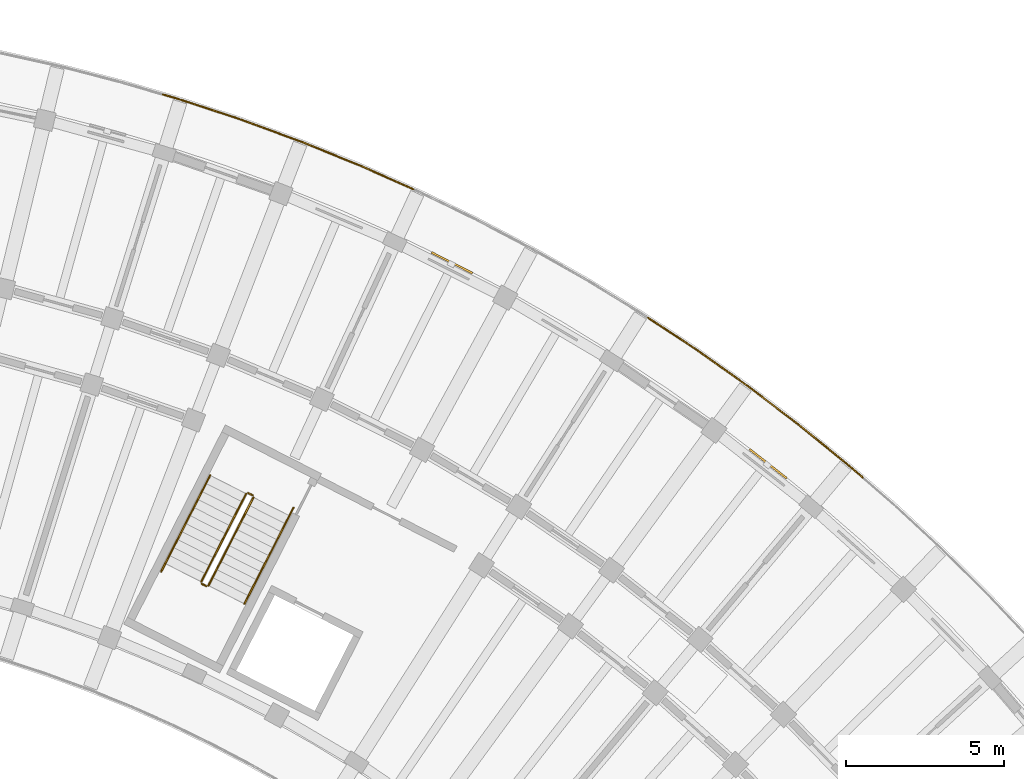
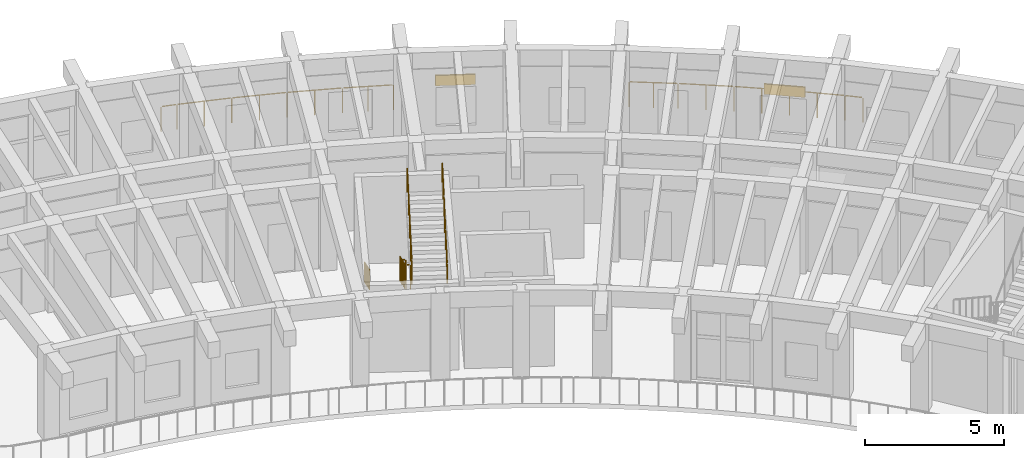
# One storey, part 127 of 128: 12 railings, 2 shading devices.
"""IFC4 building model written with IfcOpenShell, lengths in metres."""

from ifc_helpers import new_model, si_unit, direction, frame, origin, origin_2d, place, context, subcontext, project, spatial, rectangle, circle, extrude, material, layer, layer_set, type_object, element, save


model = new_model("IFC4")

# Units and contexts
model_context = context("Model", 3, precision=1e-05, world=origin(), true_north=direction((0.0, 1.0)))
body_context = subcontext(model_context, "Body", "Model", "MODEL_VIEW")
ifc_project = project(units=[si_unit("LENGTHUNIT", "METRE"), si_unit("AREAUNIT", "SQUARE_METRE"), si_unit("VOLUMEUNIT", "CUBIC_METRE"), si_unit("PLANEANGLEUNIT", "RADIAN"), si_unit("MASSUNIT", "GRAM", prefix="KILO")], contexts=[model_context])

# Site, building, storey
site_placement = place(None, origin())
site = spatial("IfcSite", under=ifc_project, at=site_placement, CompositionType="ELEMENT")
building_placement = place(site_placement, origin())
building = spatial("IfcBuilding", under=site, at=building_placement, Name="Tanwirah Colonnade Gardens", CompositionType="ELEMENT")
storey_placement = place(building_placement, frame((0.0, 0.0, 4.760009765625)))
storey = spatial("IfcBuildingStorey", under=building, at=storey_placement, Name="L01", CompositionType="ELEMENT", Elevation=4.760009765625)

# Railings
ifc_material_1 = material(Name="Precast concrete C40/50", Category="concrete")
railing_type_1 = type_object("IfcRailingType", Name="BAL-EXT112", PredefinedType="BALUSTRADE", material=ifc_material_1)
railing_1_placement = place(storey_placement, frame((138.708984375, 118.89990234375, 0.0)))
element("IfcRailing", 1, at=railing_1_placement, inside=storey, type_object=railing_type_1, Name="Block B L01 Balcony Ribbon Balustrade 12", PredefinedType="BALUSTRADE", context=body_context, shape_type="SweptSolid", body=[
    extrude(circle(Radius=0.02392578125, at=origin_2d()), frame((0.030029296875, -0.0087890625, 1.09619140625), z_axis=(0.959445381797, -0.281894589072, 0.0), x_axis=(0.281894589072, 0.959445381797, 0.0)), (0.0, 0.0, 1.0), 0.521240234375),
    extrude(circle(Radius=0.02392578125, at=origin_2d()), frame((0.58984375, -0.17431640625, 1.09619140625), z_axis=(0.949537316482, -0.313654084317, 0.0), x_axis=(0.313654084317, 0.949537316482, 0.0)), (0.0, 0.0, 1.0), 1.958984375),
    extrude(circle(Radius=0.02392578125, at=origin_2d()), frame((2.5087890625, -0.809326171875, 1.09619140625), z_axis=(0.938723993457, -0.344669789956, 0.0), x_axis=(0.344669789956, 0.938723993457, 0.0)), (0.0, 0.0, 1.0), 1.958984375),
    extrude(circle(Radius=0.02392578125, at=origin_2d()), frame((4.40625, -1.507080078125, 1.09619140625), z_axis=(0.926784720453, -0.375592973757, 0.0), x_axis=(0.375592973757, 0.926784720453, 0.0)), (0.0, 0.0, 1.0), 1.958984375),
    extrude(circle(Radius=0.02392578125, at=origin_2d()), frame((6.279296875, -2.267333984375, 1.09619140625), z_axis=(0.913952853369, -0.405820381227, 0.0), x_axis=(0.405820381227, 0.913952853369, 0.0)), (0.0, 0.0, 1.0), 1.789306640625),
    extrude(circle(Radius=0.02099609375, at=origin_2d()), origin(), (0.0, 0.0, 1.0), 1.069091796875),
    extrude(circle(Radius=0.02099609375, at=origin_2d()), frame((0.56005859375, -0.16455078125, 0.0)), (0.0, 0.0, 1.0), 1.069091796875),
    extrude(circle(Radius=0.02099609375, at=origin_2d()), frame((1.519775390625, -0.4814453125, 0.0)), (0.0, 0.0, 1.0), 1.069091796875),
    extrude(circle(Radius=0.02099609375, at=origin_2d()), frame((2.4794921875, -0.798583984375, 0.0)), (0.0, 0.0, 1.0), 1.069091796875),
    extrude(circle(Radius=0.02099609375, at=origin_2d()), frame((3.42822265625, -1.14697265625, 0.0)), (0.0, 0.0, 1.0), 1.069091796875),
    extrude(circle(Radius=0.02099609375, at=origin_2d()), frame((4.377197265625, -1.495361328125, 0.0)), (0.0, 0.0, 1.0), 1.069091796875),
    extrude(circle(Radius=0.02099609375, at=origin_2d()), frame((5.31396484375, -1.875, 0.0)), (0.0, 0.0, 1.0), 1.069091796875),
    extrude(circle(Radius=0.02099609375, at=origin_2d()), frame((6.250732421875, -2.254638671875, 0.0)), (0.0, 0.0, 1.0), 1.069091796875),
    extrude(circle(Radius=0.02099609375, at=origin_2d()), frame((7.096923828125, -2.63037109375, 0.0)), (0.0, 0.0, 1.0), 1.069091796875),
    extrude(circle(Radius=0.02099609375, at=origin_2d()), frame((7.943115234375, -3.006103515625, 0.0)), (0.0, 0.0, 1.0), 1.069091796875),
])
railing_2_placement = place(storey_placement, frame((154.10107421875, 111.814208984375, 0.0)))
element("IfcRailing", 2, at=railing_2_placement, inside=storey, type_object=railing_type_1, Name="Block B L01 Balcony Ribbon Balustrade 14", PredefinedType="BALUSTRADE", context=body_context, shape_type="SweptSolid", body=[
    extrude(circle(Radius=0.02392578125, at=origin_2d()), frame((0.026123046875, -0.01708984375, 1.09619140625), z_axis=(0.834955335446, -0.550317715334, 0.0), x_axis=(0.550317715334, 0.834955335446, 0.0)), (0.0, 0.0, 1.0), 1.714599609375),
    extrude(circle(Radius=0.02392578125, at=origin_2d()), frame((1.509521484375, -0.99609375, 1.09619140625), z_axis=(0.816344803849, -0.577564854565, 0.0), x_axis=(0.577564854565, 0.816344803849, 0.0)), (0.0, 0.0, 1.0), 1.958740234375),
    extrude(circle(Radius=0.02392578125, at=origin_2d()), frame((3.158935546875, -2.164306640625, 1.09619140625), z_axis=(0.796887753746, -0.604127393792, 0.0), x_axis=(0.604127393792, 0.796887753746, 0.0)), (0.0, 0.0, 1.0), 1.958984375),
    extrude(circle(Radius=0.02392578125, at=origin_2d()), frame((4.76904296875, -3.386474609375, 1.09619140625), z_axis=(0.776549722569, -0.630055972417, 0.0), x_axis=(0.630055972417, 0.776549722569, 0.0)), (0.0, 0.0, 1.0), 1.958984375),
    extrude(circle(Radius=0.02392578125, at=origin_2d()), frame((6.33837890625, -4.660888671875, 1.09619140625), z_axis=(0.755371030703, -0.65529734165, 0.0), x_axis=(0.65529734165, 0.755371030703, 0.0)), (0.0, 0.0, 1.0), 0.59619140625),
    extrude(circle(Radius=0.02099609375, at=origin_2d()), origin(), (0.0, 0.0, 1.0), 1.069091796875),
    extrude(circle(Radius=0.02099609375, at=origin_2d()), frame((0.741943359375, -0.489013671875, 0.0)), (0.0, 0.0, 1.0), 1.069091796875),
    extrude(circle(Radius=0.02099609375, at=origin_2d()), frame((1.48388671875, -0.97802734375, 0.0)), (0.0, 0.0, 1.0), 1.069091796875),
    extrude(circle(Radius=0.02099609375, at=origin_2d()), frame((2.30908203125, -1.561767578125, 0.0)), (0.0, 0.0, 1.0), 1.069091796875),
    extrude(circle(Radius=0.02099609375, at=origin_2d()), frame((3.134033203125, -2.1455078125, 0.0)), (0.0, 0.0, 1.0), 1.069091796875),
    extrude(circle(Radius=0.02099609375, at=origin_2d()), frame((3.939453125, -2.756103515625, 0.0)), (0.0, 0.0, 1.0), 1.069091796875),
    extrude(circle(Radius=0.02099609375, at=origin_2d()), frame((4.744873046875, -3.36669921875, 0.0)), (0.0, 0.0, 1.0), 1.069091796875),
    extrude(circle(Radius=0.02099609375, at=origin_2d()), frame((5.52978515625, -4.00341796875, 0.0)), (0.0, 0.0, 1.0), 1.069091796875),
    extrude(circle(Radius=0.02099609375, at=origin_2d()), frame((6.314697265625, -4.640380859375, 0.0)), (0.0, 0.0, 1.0), 1.069091796875),
    extrude(circle(Radius=0.02099609375, at=origin_2d()), frame((6.812255859375, -5.072021484375, 0.0)), (0.0, 0.0, 1.0), 1.069091796875),
])
ifc_material_2 = material(Name="Powder-coated galvanized steel", Category="steel")
railing_type_2 = type_object("IfcRailingType", Name="GRD-ST110", PredefinedType="GUARDRAIL", material=ifc_material_2)
railing_3_placement = place(storey_placement, frame((141.344970703125, 106.230712890625, 0.169921875)))
element("IfcRailing", 3, at=railing_3_placement, inside=storey, type_object=railing_type_2, Name="L01 ST-B2 stair guard 1", PredefinedType="GUARDRAIL", context=body_context, shape_type="SweptSolid", body=[
    extrude(circle(Radius=0.02392578125, at=origin_2d()), frame((-0.01220703125, -0.02392578125, 1.092041015625), z_axis=(-0.389895592715, -0.765211899116, 0.512281344802), x_axis=(0.891006215274, -0.453991106017, 0.0)), (0.0, 0.0, 1.0), 3.588134765625),
    extrude(circle(Radius=0.02099609375, at=origin_2d()), origin(), (0.0, 0.0, 1.0), 1.049072265625),
    extrude(circle(Radius=0.02099609375, at=origin_2d()), frame((-0.35595703125, -0.6982421875, 0.467529296875)), (0.0, 0.0, 1.0), 1.049072265625),
    extrude(circle(Radius=0.02099609375, at=origin_2d()), frame((-0.711669921875, -1.396728515625, 0.93505859375)), (0.0, 0.0, 1.0), 1.049072265625),
    extrude(circle(Radius=0.02099609375, at=origin_2d()), frame((-1.0673828125, -2.09521484375, 1.402587890625)), (0.0, 0.0, 1.0), 1.049072265625),
    extrude(circle(Radius=0.02099609375, at=origin_2d()), frame((-1.42333984375, -2.79345703125, 1.8701171875)), (0.0, 0.0, 1.0), 1.049072265625),
])
railing_4_placement = place(storey_placement, frame((139.943603515625, 103.3701171875, 2.0400390625)))
element("IfcRailing", 4, at=railing_4_placement, inside=storey, type_object=railing_type_2, Name="L01 ST-B2 stair guard 2", PredefinedType="GUARDRAIL", context=body_context, shape_type="SweptSolid", body=[
    extrude(circle(Radius=0.02392578125, at=origin_2d()), frame((0.02783203125, -0.01416015625, 1.076171875), z_axis=(0.89073666619, -0.4545197372, 0.0), x_axis=(0.4545197372, 0.89073666619, 0.0)), (0.0, 0.0, 1.0), 0.09765625),
    extrude(circle(Radius=0.02099609375, at=origin_2d()), origin(), (0.0, 0.0, 1.0), 1.049072265625),
    extrude(circle(Radius=0.02099609375, at=origin_2d()), frame((0.142578125, -0.07275390625, 0.0)), (0.0, 0.0, 1.0), 1.049072265625),
])
railing_5_placement = place(storey_placement, frame((140.1533203125, 103.3193359375, 2.2099609375)))
element("IfcRailing", 5, at=railing_5_placement, inside=storey, type_object=railing_type_2, Name="L01 ST-B2 stair guard 3", PredefinedType="GUARDRAIL", context=body_context, shape_type="SweptSolid", body=[
    extrude(circle(Radius=0.02392578125, at=origin_2d()), frame((0.01220703125, 0.02392578125, 1.092041015625), z_axis=(0.389915546449, 0.765184179575, 0.512307561886), x_axis=(-0.890990163661, 0.454022607652, 0.0)), (0.0, 0.0, 1.0), 3.587890625),
    extrude(circle(Radius=0.02099609375, at=origin_2d()), origin(), (0.0, 0.0, 1.0), 1.049072265625),
    extrude(circle(Radius=0.02099609375, at=origin_2d()), frame((0.35595703125, 0.6982421875, 0.467529296875)), (0.0, 0.0, 1.0), 1.049072265625),
    extrude(circle(Radius=0.02099609375, at=origin_2d()), frame((0.711669921875, 1.396484375, 0.93505859375)), (0.0, 0.0, 1.0), 1.049072265625),
    extrude(circle(Radius=0.02099609375, at=origin_2d()), frame((1.0673828125, 2.094970703125, 1.402587890625)), (0.0, 0.0, 1.0), 1.049072265625),
    extrude(circle(Radius=0.02099609375, at=origin_2d()), frame((1.42333984375, 2.793212890625, 1.8701171875)), (0.0, 0.0, 1.0), 1.049072265625),
])
railing_6_placement = place(storey_placement, frame((141.412109375, 106.25244140625, 0.0)))
element("IfcRailing", 6, at=railing_6_placement, inside=storey, type_object=railing_type_2, Name="L01 ST-B2 stair guard 4", PredefinedType="GUARDRAIL", context=body_context, shape_type="SweptSolid", body=[
    extrude(circle(Radius=0.02392578125, at=origin_2d()), frame((0.02783203125, -0.01416015625, 1.076171875), z_axis=(0.891353773095, -0.453308340084, 0.0), x_axis=(0.453308340084, 0.891353773095, 0.0)), (0.0, 0.0, 1.0), 0.097412109375),
    extrude(circle(Radius=0.02099609375, at=origin_2d()), origin(), (0.0, 0.0, 1.0), 1.049072265625),
    extrude(circle(Radius=0.02099609375, at=origin_2d()), frame((0.142578125, -0.072509765625, 0.0)), (0.0, 0.0, 1.0), 1.049072265625),
])
ifc_material_3 = material(Name="Brushed bronze stainless steel", Category="steel")
railing_type_3 = type_object("IfcRailingType", Name="HR-ST090", PredefinedType="HANDRAIL", material=ifc_material_3)
railing_7_placement = place(storey_placement, frame((140.204345703125, 106.811767578125, 0.169921875)))
element("IfcRailing", 7, at=railing_7_placement, inside=storey, type_object=railing_type_3, Name="L01 ST-B2 stair handrail 1", PredefinedType="HANDRAIL", context=body_context, shape_type="SweptSolid", body=[
    extrude(circle(Radius=0.02392578125, at=origin_2d()), frame((-0.01220703125, -0.02392578125, 0.89208984375), z_axis=(-0.388822511711, -0.763516031726, 0.515616450168), x_axis=(0.891104860409, -0.453797452345, 0.0)), (0.0, 0.0, 1.0), 1.26806640625),
    extrude(circle(Radius=0.02099609375, at=origin_2d()), origin(), (0.0, 0.0, 1.0), 0.848876953125),
    extrude(circle(Radius=0.02099609375, at=origin_2d()), frame((-0.2587890625, -0.5078125, 0.343017578125)), (0.0, 0.0, 1.0), 0.848876953125),
    extrude(circle(Radius=0.02099609375, at=origin_2d()), frame((-0.517333984375, -1.015869140625, 0.68603515625)), (0.0, 0.0, 1.0), 0.848876953125),
])
railing_8_placement = place(storey_placement, frame((139.68701171875, 105.7958984375, 0.85595703125)))
element("IfcRailing", 8, at=railing_8_placement, inside=storey, type_object=railing_type_3, Name="L01 ST-B2 stair handrail 2", PredefinedType="HANDRAIL", context=body_context, shape_type="SweptSolid", body=[
    extrude(circle(Radius=0.02392578125, at=origin_2d()), frame((-0.01220703125, -0.02392578125, 0.89208984375), z_axis=(-0.389032740404, -0.763385000037, 0.515651887044), x_axis=(0.890974108706, -0.454054113091, 0.0)), (0.0, 0.0, 1.0), 1.267822265625),
    extrude(circle(Radius=0.02099609375, at=origin_2d()), origin(), (0.0, 0.0, 1.0), 0.848876953125),
    extrude(circle(Radius=0.02099609375, at=origin_2d()), frame((-0.2587890625, -0.5078125, 0.343017578125)), (0.0, 0.0, 1.0), 0.848876953125),
    extrude(circle(Radius=0.02099609375, at=origin_2d()), frame((-0.517578125, -1.015625, 0.68603515625)), (0.0, 0.0, 1.0), 0.848876953125),
])
railing_9_placement = place(storey_placement, frame((139.16943359375, 104.7802734375, 1.5419921875)))
element("IfcRailing", 9, at=railing_9_placement, inside=storey, type_object=railing_type_3, Name="L01 ST-B2 stair handrail 3", PredefinedType="HANDRAIL", context=body_context, shape_type="SweptSolid", body=[
    extrude(circle(Radius=0.02392578125, at=origin_2d()), frame((-0.01220703125, -0.02392578125, 0.89208984375), z_axis=(-0.388978247368, -0.763461550611, 0.515579658067), x_axis=(0.891018251792, -0.453967482287, 0.0)), (0.0, 0.0, 1.0), 1.26806640625),
    extrude(circle(Radius=0.02099609375, at=origin_2d()), origin(), (0.0, 0.0, 1.0), 0.848876953125),
    extrude(circle(Radius=0.02099609375, at=origin_2d()), frame((-0.2587890625, -0.5078125, 0.343017578125)), (0.0, 0.0, 1.0), 0.848876953125),
    extrude(circle(Radius=0.02099609375, at=origin_2d()), frame((-0.517578125, -1.015869140625, 0.68603515625)), (0.0, 0.0, 1.0), 0.848876953125),
])
railing_10_placement = place(storey_placement, frame((141.2939453125, 102.73828125, 2.2099609375)))
element("IfcRailing", 10, at=railing_10_placement, inside=storey, type_object=railing_type_3, Name="L01 ST-B2 stair handrail 4", PredefinedType="HANDRAIL", context=body_context, shape_type="SweptSolid", body=[
    extrude(circle(Radius=0.02392578125, at=origin_2d()), frame((0.01220703125, 0.02392578125, 0.89208984375), z_axis=(0.388876990705, 0.763439490955, 0.515688694612), x_axis=(-0.891060746095, 0.453884067542, 0.0)), (0.0, 0.0, 1.0), 1.267822265625),
    extrude(circle(Radius=0.02099609375, at=origin_2d()), origin(), (0.0, 0.0, 1.0), 0.848876953125),
    extrude(circle(Radius=0.02099609375, at=origin_2d()), frame((0.2587890625, 0.5078125, 0.343017578125)), (0.0, 0.0, 1.0), 0.848876953125),
    extrude(circle(Radius=0.02099609375, at=origin_2d()), frame((0.517333984375, 1.015625, 0.68603515625)), (0.0, 0.0, 1.0), 0.848876953125),
])
railing_11_placement = place(storey_placement, frame((141.811279296875, 103.75390625, 2.89599609375)))
element("IfcRailing", 11, at=railing_11_placement, inside=storey, type_object=railing_type_3, Name="L01 ST-B2 stair handrail 5", PredefinedType="HANDRAIL", context=body_context, shape_type="SweptSolid", body=[
    extrude(circle(Radius=0.02392578125, at=origin_2d()), frame((0.01220703125, 0.02392578125, 0.89208984375), z_axis=(0.388978247368, 0.763461550611, 0.515579658067), x_axis=(-0.891018251792, 0.453967482287, 0.0)), (0.0, 0.0, 1.0), 1.26806640625),
    extrude(circle(Radius=0.02099609375, at=origin_2d()), origin(), (0.0, 0.0, 1.0), 0.848876953125),
    extrude(circle(Radius=0.02099609375, at=origin_2d()), frame((0.2587890625, 0.5078125, 0.343017578125)), (0.0, 0.0, 1.0), 0.848876953125),
    extrude(circle(Radius=0.02099609375, at=origin_2d()), frame((0.517578125, 1.015869140625, 0.68603515625)), (0.0, 0.0, 1.0), 0.848876953125),
])
railing_12_placement = place(storey_placement, frame((142.328857421875, 104.769775390625, 3.58203125)))
element("IfcRailing", 12, at=railing_12_placement, inside=storey, type_object=railing_type_3, Name="L01 ST-B2 stair handrail 6", PredefinedType="HANDRAIL", context=body_context, shape_type="SweptSolid", body=[
    extrude(circle(Radius=0.02392578125, at=origin_2d()), frame((0.01220703125, 0.02392578125, 0.89208984375), z_axis=(0.389032740404, 0.763385000037, 0.515651887044), x_axis=(-0.890974108706, 0.454054113091, 0.0)), (0.0, 0.0, 1.0), 1.267822265625),
    extrude(circle(Radius=0.02099609375, at=origin_2d()), origin(), (0.0, 0.0, 1.0), 0.848876953125),
    extrude(circle(Radius=0.02099609375, at=origin_2d()), frame((0.2587890625, 0.5078125, 0.343017578125)), (0.0, 0.0, 1.0), 0.848876953125),
    extrude(circle(Radius=0.02099609375, at=origin_2d()), frame((0.517578125, 1.015625, 0.68603515625)), (0.0, 0.0, 1.0), 0.848876953125),
])

# Shading devices
ifc_material_4 = material(Name="Perforated architectural bronze aluminium", Category="aluminium")
ifc_layer = layer(ifc_material_4, 0.050048828125)
ifc_layer_set = layer_set([ifc_layer], Name="Perforated architectural bronze aluminium")
shading_device_type = type_object("IfcShadingDeviceType", Name="SHD-OVH1", PredefinedType="SHUTTER", material=ifc_layer_set)
shading_device_1_placement = place(storey_placement, frame((157.910888671875, 107.1826171875, 1.97021484375), z_axis=(0.0, 0.0, 1.0), x_axis=(-0.786815172933, 0.61718869371, 0.0)))
element("IfcShadingDevice", 13, at=shading_device_1_placement, inside=storey, type_object=shading_device_type, Name="Solar shading louver hood B-L01-09", PredefinedType="SHUTTER", context=body_context, shape_type="SweptSolid", body=[
    extrude(rectangle(XDim=1.5, YDim=0.06005859375, at=origin_2d()), origin(), (0.0, 0.0, 1.0), 0.449951171875),
])
shading_device_2_placement = place(storey_placement, frame((147.8779296875, 113.560546875, 2.0849609375), z_axis=(0.0, 0.0, 1.0), x_axis=(-0.892760931745, 0.450530707887, 0.0)))
element("IfcShadingDevice", 14, at=shading_device_2_placement, inside=storey, type_object=shading_device_type, Name="Solar shading louver hood B-L01-12", PredefinedType="SHUTTER", context=body_context, shape_type="SweptSolid", body=[
    extrude(rectangle(XDim=1.449951171875, YDim=0.06005859375, at=origin_2d()), origin(), (0.0, 0.0, 1.0), 0.449951171875),
])

save(model, "model.ifc")
